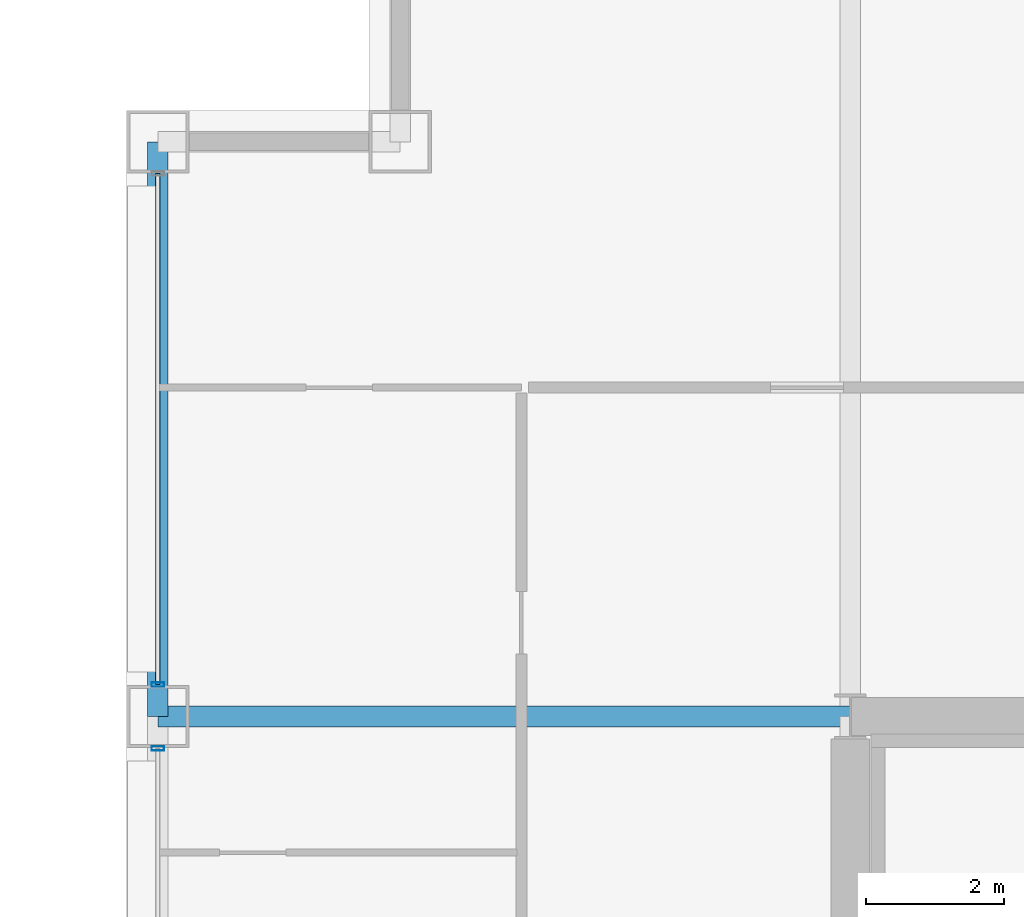
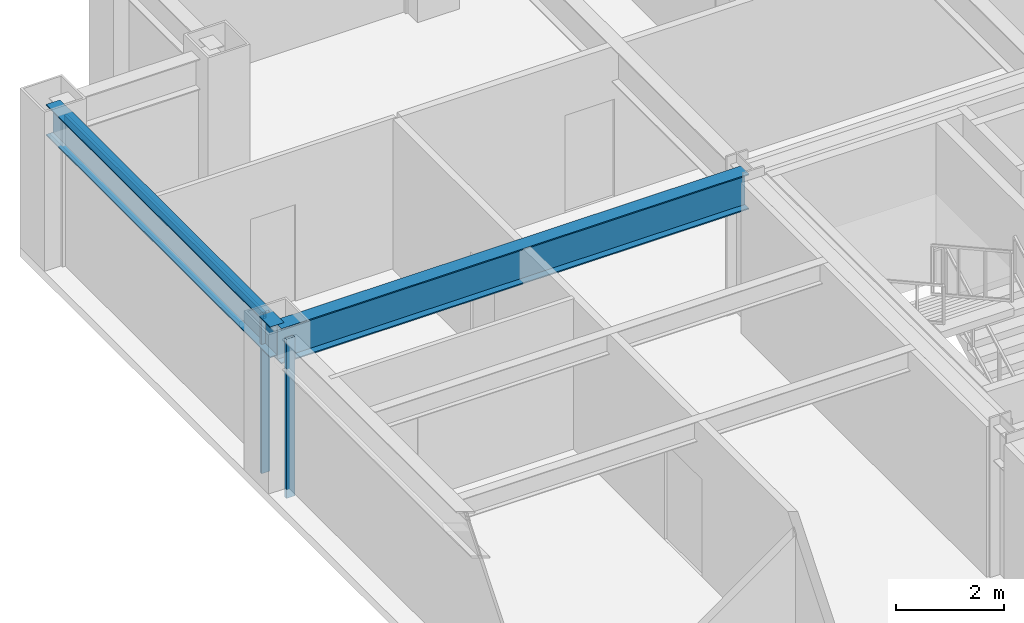
# One storey, part 16 of 29: 3 members, 2 beams, 2 elements without a shape of their own.
"""IFC4 building model written with IfcOpenShell, lengths in metres."""

import ifcopenshell
import ifcopenshell.guid

model = None  # the IFC model being written
_history = None  # IfcOwnerHistory: only IFC2X3 demands one
_inside = {}  # id of a spatial element -> (the spatial element, [elements in it])
_under = {}  # id of a project, library or spatial element -> (it, [spatial elements below it])
_declared = {}  # id of a project -> (the project, [libraries it declares])
_typed = {}  # id of a type object -> (the type object, [elements of that type])
_made_of = {}  # id of a material, layer set ... -> (it, [elements and type objects made of it])


def new_model(schema):
    """Start an empty IFC model of exactly this schema.

    Asked for "IFC4X3", IfcOpenShell would pick the latest addendum, in which some entities
    have other attributes; the version numbers below select the first issue.
    IFC2X3 requires an IfcOwnerHistory on every rooted entity: one is made here for all.
    """
    global model, _history
    if schema == "IFC4X3":
        model = ifcopenshell.file(schema_version=(4, 3, 0, 0))
    else:
        model = ifcopenshell.file(schema=schema)
    _inside.clear()
    _under.clear()
    _declared.clear()
    _typed.clear()
    _made_of.clear()
    _history = None
    if model.schema == "IFC2X3":
        org = make("IfcOrganization", Name="unknown")
        user = make(
            "IfcPersonAndOrganization",
            ThePerson=make("IfcPerson", FamilyName="unknown"),
            TheOrganization=org,
        )
        app = make(
            "IfcApplication",
            ApplicationDeveloper=org,
            Version="unknown",
            ApplicationFullName="unknown",
            ApplicationIdentifier="unknown",
        )
        _history = make(
            "IfcOwnerHistory",
            OwningUser=user,
            OwningApplication=app,
            ChangeAction="ADDED",
            CreationDate=0,
        )
    return model


def make(cls, **values):
    """One entity of the class cls with the attributes given. An attribute that is None is left unset."""
    return model.create_entity(
        cls, **{name: value for name, value in values.items() if value is not None}
    )


def rooted(cls, **values):
    """An entity with a GlobalId (a new one), such as an element, a storey or a relation."""
    return make(cls, GlobalId=ifcopenshell.guid.new(), OwnerHistory=_history, **values)


def si_unit(unit_type, name, prefix=None):
    """IfcSIUnit, for example si_unit("LENGTHUNIT", "METRE", prefix="MILLI")."""
    return make("IfcSIUnit", UnitType=unit_type, Prefix=prefix, Name=name)


def assignment(units):
    """IfcUnitAssignment: the units of a project."""
    return None if units is None else make("IfcUnitAssignment", Units=units)


def point(xyz):
    """IfcCartesianPoint."""
    return None if xyz is None else make("IfcCartesianPoint", Coordinates=xyz)


def direction(xyz):
    """IfcDirection."""
    return None if xyz is None else make("IfcDirection", DirectionRatios=xyz)


def frame(location, z_axis=None, x_axis=None):
    """IfcAxis2Placement3D, a coordinate frame: its origin and axes. An axis left out is left unset."""
    return make(
        "IfcAxis2Placement3D",
        Location=point(location),
        Axis=direction(z_axis),
        RefDirection=direction(x_axis),
    )


def frame_2d(location, x_axis=None):
    """IfcAxis2Placement2D, a coordinate frame in the plane: its origin and x axis."""
    return make(
        "IfcAxis2Placement2D", Location=point(location), RefDirection=direction(x_axis)
    )


def origin():
    """The frame at (0, 0, 0) with its axes left unset."""
    return frame((0.0, 0.0, 0.0))


def origin_2d():
    """The frame at (0, 0) in the plane with its x axis left unset."""
    return frame_2d((0.0, 0.0))


def place(relative_to, where):
    """IfcLocalPlacement: puts the frame where relative to a parent placement (None: the world)."""
    return make(
        "IfcLocalPlacement", PlacementRelTo=relative_to, RelativePlacement=where
    )


def context(
    kind, dimensions, precision=None, world=None, true_north=None, identifier=None
):
    """IfcGeometricRepresentationContext, for example the 3D "Model" context."""
    return make(
        "IfcGeometricRepresentationContext",
        ContextIdentifier=identifier,
        ContextType=kind,
        CoordinateSpaceDimension=dimensions,
        Precision=precision,
        WorldCoordinateSystem=world,
        TrueNorth=true_north,
    )


def subcontext(parent, identifier, kind, view, scale=None):
    """IfcGeometricRepresentationSubContext, for example "Body" below "Model"."""
    return make(
        "IfcGeometricRepresentationSubContext",
        ContextIdentifier=identifier,
        ContextType=kind,
        ParentContext=parent,
        TargetScale=scale,
        TargetView=view,
    )


def project(units=None, contexts=None):
    """IfcProject with its units and contexts."""
    return rooted(
        "IfcProject",
        Name="project",
        RepresentationContexts=contexts,
        UnitsInContext=assignment(units),
    )


def spatial(cls, under=None, at=None, **own):
    """A site, building, storey or space (cls), placed at a placement, below another one or the project."""
    s = rooted(cls, ObjectPlacement=at, **own)
    if under is not None:
        _under.setdefault(under.id(), (under, []))[1].append(s)
    return s


def profile(cls, at=None, kind="AREA", **sizes):
    """A parametric profile (cls). Its sizes go by their IFC names, for example OverallWidth=200.0."""
    return make(cls, ProfileType=kind, Position=at, **sizes)


def hollow_rectangle(**sizes):
    """IfcRectangleHollowProfileDef."""
    return profile("IfcRectangleHollowProfileDef", **sizes)


def i_section(**sizes):
    """IfcIShapeProfileDef."""
    return profile("IfcIShapeProfileDef", **sizes)


def extrude(swept, where, along, depth):
    """IfcExtrudedAreaSolid: the profile swept, set in the frame where, extruded along a direction by depth."""
    return make(
        "IfcExtrudedAreaSolid",
        SweptArea=swept,
        Position=where,
        ExtrudedDirection=direction(along),
        Depth=depth,
    )


def shape(context_of_items, identifier, shape_type, items):
    """IfcShapeRepresentation: the items that make up one representation, for example the "Body"."""
    return make(
        "IfcShapeRepresentation",
        ContextOfItems=context_of_items,
        RepresentationIdentifier=identifier,
        RepresentationType=shape_type,
        Items=items,
    )


def material(Name=None, Category=None):
    """IfcMaterial."""
    return make("IfcMaterial", Name=Name, Category=Category)


def layer(
    of_material, thickness, ventilated=None, Name=None, Category=None, Priority=None
):
    """IfcMaterialLayer: one layer of a wall or slab, of a material (None: an air gap)."""
    return make(
        "IfcMaterialLayer",
        Material=of_material,
        LayerThickness=thickness,
        IsVentilated=ventilated,
        Name=Name,
        Category=Category,
        Priority=Priority,
    )


def layer_set(layers, Name=None):
    """IfcMaterialLayerSet."""
    return make("IfcMaterialLayerSet", MaterialLayers=layers, LayerSetName=Name)


def material_profile(
    of_material, cross_section, Name=None, Category=None, Priority=None
):
    """IfcMaterialProfile: a cross section and its material."""
    return make(
        "IfcMaterialProfile",
        Name=Name,
        Material=of_material,
        Profile=cross_section,
        Priority=Priority,
        Category=Category,
    )


def profile_set(profiles, Name=None, composite=None):
    """IfcMaterialProfileSet."""
    return make(
        "IfcMaterialProfileSet",
        Name=Name,
        MaterialProfiles=profiles,
        CompositeProfile=composite,
    )


def made_of(thing, what):
    """Note that an element or type object is made of a material, layer set ...; save() writes the relation."""
    if what is not None:
        _made_of.setdefault(what.id(), (what, []))[1].append(thing)
    return thing


def type_object(cls, material=None, **own):
    """A type object (cls), such as IfcWallType, which elements share."""
    return made_of(rooted(cls, **own), material)


def element(
    cls,
    number,
    at=None,
    inside=None,
    cuts=None,
    type_object=None,
    material=None,
    context=None,
    identifier="Body",
    shape_type=None,
    held_by="IfcProductDefinitionShape",
    body=None,
    shapes=None,
    **own,
):
    """One element of the class cls, such as IfcWall. Its Tag is "e" and its number.

    at: its placement. inside: the storey or other place that contains it. cuts: it is an
    opening in that element (IfcRelVoidsElement). A single representation is given by context,
    identifier, shape_type and body (its items); several are given by shapes. held_by: the class
    of the entity that holds the representations. save() writes the other relations.
    """
    e = rooted(cls, Tag="e%d" % number, ObjectPlacement=at, **own)
    if body is not None:
        shapes = [shape(context, identifier, shape_type, body)]
    if shapes is not None:
        e.Representation = make(held_by, Representations=shapes)
    if inside is not None:
        _inside.setdefault(inside.id(), (inside, []))[1].append(e)
    if cuts is not None:
        rooted(
            "IfcRelVoidsElement", RelatingBuildingElement=cuts, RelatedOpeningElement=e
        )
    if type_object is not None:
        _typed.setdefault(type_object.id(), (type_object, []))[1].append(e)
    return made_of(e, material)


def aggregate(whole, parts):
    """IfcRelAggregates: a whole, such as a stair, and the parts it consists of."""
    return rooted("IfcRelAggregates", RelatingObject=whole, RelatedObjects=parts)


def save(model, path):
    """Write the relations noted so far, then the file.

    IfcRelAggregates (storeys below a building ...), IfcRelContainedInSpatialStructure (elements
    in a storey), IfcRelDefinesByType, IfcRelAssociatesMaterial and IfcRelDeclares: one each for
    every whole, place, type object, material and project.
    """
    for whole, parts in _under.values():
        aggregate(whole, parts)
    for where, things in _inside.values():
        rooted(
            "IfcRelContainedInSpatialStructure",
            RelatedElements=things,
            RelatingStructure=where,
        )
    for kind, things in _typed.values():
        rooted("IfcRelDefinesByType", RelatedObjects=things, RelatingType=kind)
    for what, things in _made_of.values():
        rooted("IfcRelAssociatesMaterial", RelatedObjects=things, RelatingMaterial=what)
    for by, libraries in _declared.values():
        rooted("IfcRelDeclares", RelatingContext=by, RelatedDefinitions=libraries)
    model.write(path)


model = new_model("IFC4")

# Units and contexts
model_context = context("Model", 3, precision=1e-05, world=origin(), true_north=direction((0.0, 1.0)))
body_context = subcontext(model_context, "Body", "Model", "MODEL_VIEW")
ifc_project = project(units=[si_unit("LENGTHUNIT", "METRE"), si_unit("AREAUNIT", "SQUARE_METRE"), si_unit("VOLUMEUNIT", "CUBIC_METRE"), si_unit("PLANEANGLEUNIT", "RADIAN"), si_unit("MASSUNIT", "GRAM", prefix="KILO")], contexts=[model_context])

# Site, building, storey
site_placement = place(None, origin())
site = spatial("IfcSite", under=ifc_project, at=site_placement, CompositionType="ELEMENT")
building_placement = place(site_placement, origin())
building = spatial("IfcBuilding", under=site, at=building_placement, Name="Brelmoor Portico Tower", CompositionType="ELEMENT")
storey_placement = place(building_placement, frame((0.0, 0.0, 52.800048828125)))
storey = spatial("IfcBuildingStorey", under=building, at=storey_placement, Name="L13", CompositionType="ELEMENT", Elevation=52.800048828125)

# Beams
ifc_material_1 = material(Name="Steel Q355B", Category="steel")
ifc_material_profile_1 = material_profile(ifc_material_1, i_section(OverallWidth=0.300048828125, OverallDepth=0.800048828125, WebThickness=0.013916015625, FlangeThickness=0.02587890625, at=origin_2d()), Name="HN 800x300x14x26")
ifc_profile_set_1 = profile_set([ifc_material_profile_1], Name="Steel Q355B")
beam_type_1 = type_object("IfcBeamType", Name="BM-PG-800", PredefinedType="BEAM", material=ifc_profile_set_1)
beam_1_placement = place(storey_placement, frame((-24.550048828125, 9.75, 3.0), z_axis=(1.0, 0.0, 0.0), x_axis=(0.0, 1.0, 0.0)))
element("IfcBeam", 1, at=beam_1_placement, inside=storey, type_object=beam_type_1, Name="L13 Primary Floor Girder PG-27", PredefinedType="BEAM", context=body_context, shape_type="SweptSolid", body=[
    extrude(i_section(OverallWidth=0.300048828125, OverallDepth=0.800048828125, WebThickness=0.013916015625, FlangeThickness=0.02587890625, at=origin_2d()), origin(), (0.0, 0.0, 1.0), 10.0),
])
ifc_material_profile_2 = material_profile(ifc_material_1, i_section(OverallWidth=0.300048828125, OverallDepth=0.699951171875, WebThickness=0.012939453125, FlangeThickness=0.02392578125, at=origin_2d()), Name="HN 700x300x13x24")
ifc_profile_set_2 = profile_set([ifc_material_profile_2], Name="Steel Q355B")
beam_type_2 = type_object("IfcBeamType", Name="BM-SP-700", PredefinedType="SPANDREL", material=ifc_profile_set_2)
beam_2_placement = place(storey_placement, frame((-24.550048828125, 9.75, 3.050048828125), z_axis=(0.0, 1.0, 0.0), x_axis=(-1.0, 0.0, 0.0)))
element("IfcBeam", 2, at=beam_2_placement, inside=storey, type_object=beam_type_2, Name="L13 Perimeter Spandrel Beam SP-17", PredefinedType="SPANDREL", context=body_context, shape_type="SweptSolid", body=[
    extrude(i_section(OverallWidth=0.300048828125, OverallDepth=0.699951171875, WebThickness=0.012939453125, FlangeThickness=0.02392578125, at=origin_2d()), origin(), (0.0, 0.0, 1.0), 8.300048828125),
])

# Curtain wall, member
ifc_material_2 = material(Name="Anodised Aluminium Alloy 6063-T6", Category="aluminium")
ifc_layer = layer(ifc_material_2, 0.179931640625)
ifc_layer_set = layer_set([ifc_layer], Name="Anodised Aluminium Alloy 6063-T6")
curtain_wall_type = type_object("IfcCurtainWallType", Name="CW-TOWER-Z1-XB", PredefinedType="NOTDEFINED", material=ifc_layer_set)
curtain_wall_1_placement = place(storey_placement, origin())
curtain_wall_1 = element("IfcCurtainWall", 3, at=curtain_wall_1_placement, inside=storey, type_object=curtain_wall_type, Name="L13 Curtain Wall CW-L13-03-2", PredefinedType="NOTDEFINED")
ifc_material_profile_3 = material_profile(ifc_material_2, hollow_rectangle(XDim=0.06494140625, YDim=0.179931640625, WallThickness=0.00390625, at=origin_2d()), Name="ALU MULLION 65x180")
ifc_profile_set_3 = profile_set([ifc_material_profile_3], Name="Anodised Aluminium Alloy 6063-T6")
member_type_1 = type_object("IfcMemberType", Name="MB-CW-MULL-180", PredefinedType="MULLION", material=ifc_profile_set_3)
member_1_placement = place(storey_placement, frame((-24.550048828125, 9.2900390625, -0.199951171875), z_axis=(0.0, 0.0, 1.0), x_axis=(0.0, 1.0, 0.0)))
member_1 = element("IfcMember", 4, at=member_1_placement, type_object=member_type_1, Name="CW-L13-03-2 Mullion 02", PredefinedType="MULLION", context=body_context, shape_type="SweptSolid", body=[
    extrude(hollow_rectangle(XDim=0.06494140625, YDim=0.179931640625, WallThickness=0.00390625, at=origin_2d()), origin(), (0.0, 0.0, 1.0), 3.599853515625),
])
aggregate(curtain_wall_1, [member_1])

# Curtain wall, members
curtain_wall_2_placement = place(storey_placement, origin())
curtain_wall_2 = element("IfcCurtainWall", 5, at=curtain_wall_2_placement, inside=storey, type_object=curtain_wall_type, Name="L13 Curtain Wall CW-L13-03-3", PredefinedType="NOTDEFINED")
member_2_placement = place(storey_placement, frame((-24.550048828125, 10.2099609375, -0.199951171875), z_axis=(0.0, 0.0, 1.0), x_axis=(0.0, 1.0, 0.0)))
member_2 = element("IfcMember", 6, at=member_2_placement, type_object=member_type_1, Name="CW-L13-03-3 Mullion 00", PredefinedType="MULLION", context=body_context, shape_type="SweptSolid", body=[
    extrude(hollow_rectangle(XDim=0.06494140625, YDim=0.179931640625, WallThickness=0.00390625, at=origin_2d()), origin(), (0.0, 0.0, 1.0), 3.599853515625),
])
ifc_material_profile_4 = material_profile(ifc_material_2, hollow_rectangle(XDim=0.06494140625, YDim=0.139892578125, WallThickness=0.00390625, at=origin_2d()), Name="ALU TRANSOM 65x140")
ifc_profile_set_4 = profile_set([ifc_material_profile_4], Name="Anodised Aluminium Alloy 6063-T6")
member_type_2 = type_object("IfcMemberType", Name="MB-CW-TRAN-140", PredefinedType="USERDEFINED", material=ifc_profile_set_4)
member_3_placement = place(storey_placement, frame((-24.550048828125, 10.2099609375, 3.329833984375), z_axis=(0.0, 1.0, 0.0), x_axis=(-1.0, 0.0, 0.0)))
member_3 = element("IfcMember", 7, at=member_3_placement, type_object=member_type_2, Name="CW-L13-03-3 Transom 1-00", ObjectType="TRANSOM", PredefinedType="USERDEFINED", context=body_context, shape_type="SweptSolid", body=[
    extrude(hollow_rectangle(XDim=0.06494140625, YDim=0.139892578125, WallThickness=0.00390625, at=origin_2d()), origin(), (0.0, 0.0, 1.0), 7.380126953125),
])
aggregate(curtain_wall_2, [member_2, member_3])

save(model, "model.ifc")
